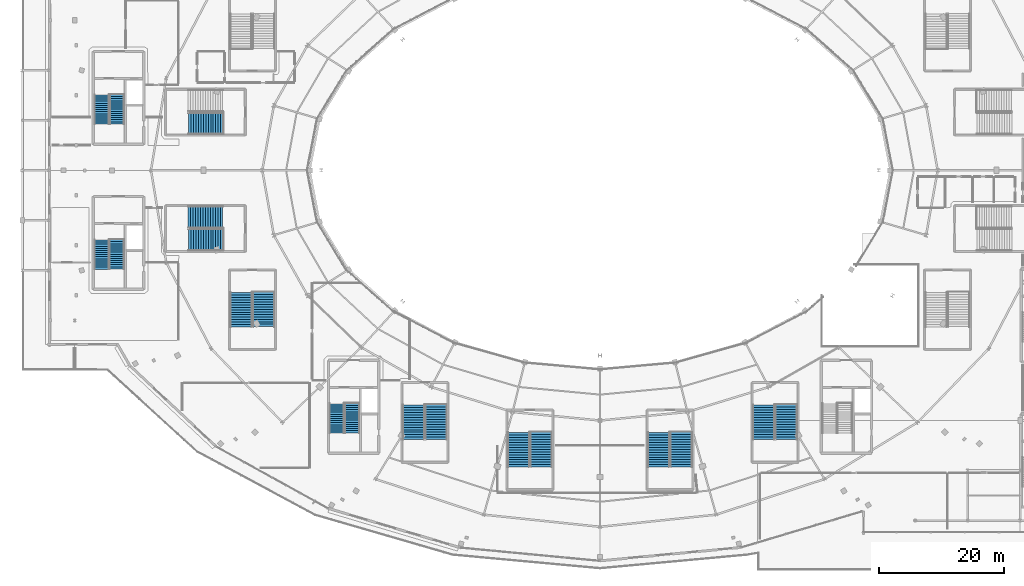
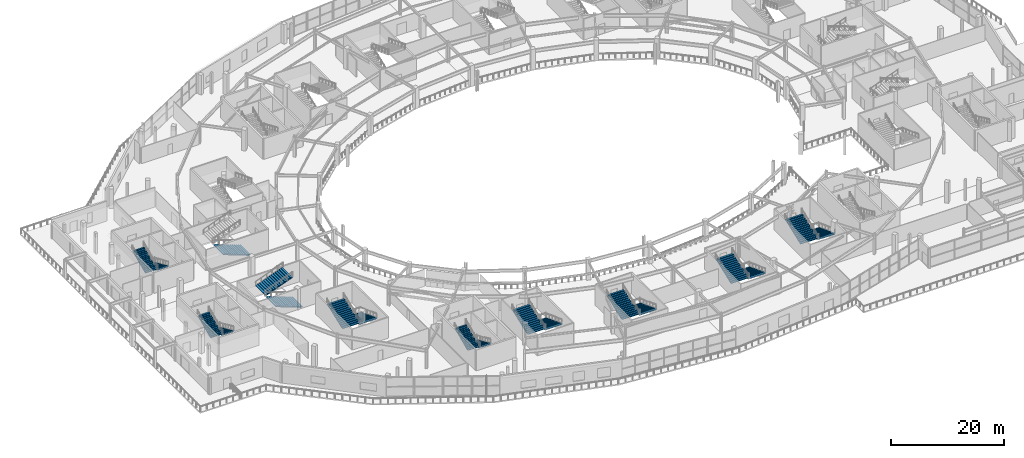
# One storey, part 83 of 107: 19 stair flights, 10 elements without a shape of their own.
"""IFC4 building model written with IfcOpenShell, lengths in metres."""

from ifc_helpers import new_model, si_unit, direction, frame, origin, place, context, subcontext, project, spatial, polyline, outline, extrude, material, type_object, element, aggregate, save


model = new_model("IFC4")

# Units and contexts
model_context = context("Model", 3, precision=1e-05, world=origin(), true_north=direction((0.0, 1.0)))
body_context = subcontext(model_context, "Body", "Model", "MODEL_VIEW")
ifc_project = project(units=[si_unit("LENGTHUNIT", "METRE"), si_unit("AREAUNIT", "SQUARE_METRE"), si_unit("VOLUMEUNIT", "CUBIC_METRE"), si_unit("PLANEANGLEUNIT", "RADIAN"), si_unit("MASSUNIT", "GRAM", prefix="KILO")], contexts=[model_context])

# Site, building, storey
site_placement = place(None, origin())
site = spatial("IfcSite", under=ifc_project, at=site_placement, CompositionType="ELEMENT")
building_placement = place(site_placement, origin())
building = spatial("IfcBuilding", under=site, at=building_placement, Name="Kalgoora Escarpment Arena", CompositionType="ELEMENT")
storey_placement = place(building_placement, frame((0.0, 0.0, 5.39990234375)))
storey = spatial("IfcBuildingStorey", under=building, at=storey_placement, Name="L01", CompositionType="ELEMENT", Elevation=5.39990234375)

# Stair, stair flights
ifc_material_1 = material(Name="Concrete N40 (fc' 40 MPa)", Category="concrete")
stair_type_1 = type_object("IfcStairType", Name="STR-EXIT-1", PredefinedType="HALF_TURN_STAIR", material=ifc_material_1)
stair_1_placement = place(storey_placement, origin())
stair_1 = element("IfcStair", 1, at=stair_1_placement, inside=storey, type_object=stair_type_1, Name="Fire-isolated exit stair ST01 (L01)", PredefinedType="HALF_TURN_STAIR")
ifc_material_2 = material(Name="Concrete N40 (fc' 40 MPa)", Category="concrete")
stair_flight_type_1 = type_object("IfcStairFlightType", Name="FLT-EXIT-1", PredefinedType="STRAIGHT", material=ifc_material_2)
stair_flight_1_placement = place(storey_placement, frame((15.159912109375, 76.1298828125, 0.0), z_axis=(0.0, 0.0, 1.0), x_axis=(0.0, -1.0, 0.0)))
stair_flight_1 = element("IfcStairFlight", 2, at=stair_flight_1_placement, type_object=stair_flight_type_1, Name="ST01 L01 lower flight", NumberOfRisers=15, NumberOfTreads=14, PredefinedType="STRAIGHT", RiserHeight=0.15, TreadLength=0.335, context=body_context, shape_type="SweptSolid", body=[
    extrude(outline(polyline([(0.0, 0.0), (0.0, 0.14990234375), (0.3349609375, 0.14990234375), (0.3349609375, 0.300048828125), (0.669921875, 0.300048828125), (0.669921875, 0.449951171875), (1.0048828125, 0.449951171875), (1.0048828125, 0.60009765625), (1.340087890625, 0.60009765625), (1.340087890625, 0.75), (1.675048828125, 0.75), (1.675048828125, 0.89990234375), (2.010009765625, 0.89990234375), (2.010009765625, 1.050048828125), (2.344970703125, 1.050048828125), (2.344970703125, 1.199951171875), (2.679931640625, 1.199951171875), (2.679931640625, 1.35009765625), (3.014892578125, 1.35009765625), (3.014892578125, 1.5), (3.35009765625, 1.5), (3.35009765625, 1.64990234375), (3.68505859375, 1.64990234375), (3.68505859375, 1.800048828125), (4.02001953125, 1.800048828125), (4.02001953125, 1.949951171875), (4.35498046875, 1.949951171875), (4.35498046875, 2.10009765625), (4.68994140625, 2.10009765625), (4.68994140625, 2.25), (4.68994140625, 1.913818359375), (0.415771484375, 0.0), (0.0, 0.0)])), frame((0.0, 1.18994140625, 0.0), z_axis=(0.0, -1.0, 0.0), x_axis=(1.0, 0.0, 0.0)), (0.0, 0.0, 1.0), 2.3798828125),
])
stair_flight_2_placement = place(storey_placement, frame((12.739990234375, 71.3798828125, 2.25), z_axis=(0.0, 0.0, 1.0), x_axis=(0.0, 1.0, 0.0)))
stair_flight_2 = element("IfcStairFlight", 3, at=stair_flight_2_placement, type_object=stair_flight_type_1, Name="ST01 L01 upper flight", NumberOfRisers=15, NumberOfTreads=14, PredefinedType="STRAIGHT", RiserHeight=0.15, TreadLength=0.335, context=body_context, shape_type="SweptSolid", body=[
    extrude(outline(polyline([(0.0, 0.0), (0.0, 0.14990234375), (0.3349609375, 0.14990234375), (0.3349609375, 0.300048828125), (0.669921875, 0.300048828125), (0.669921875, 0.449951171875), (1.0048828125, 0.449951171875), (1.0048828125, 0.60009765625), (1.340087890625, 0.60009765625), (1.340087890625, 0.75), (1.675048828125, 0.75), (1.675048828125, 0.89990234375), (2.010009765625, 0.89990234375), (2.010009765625, 1.050048828125), (2.344970703125, 1.050048828125), (2.344970703125, 1.199951171875), (2.679931640625, 1.199951171875), (2.679931640625, 1.35009765625), (3.014892578125, 1.35009765625), (3.014892578125, 1.5), (3.35009765625, 1.5), (3.35009765625, 1.64990234375), (3.68505859375, 1.64990234375), (3.68505859375, 1.800048828125), (4.02001953125, 1.800048828125), (4.02001953125, 1.949951171875), (4.35498046875, 1.949951171875), (4.35498046875, 2.10009765625), (4.68994140625, 2.10009765625), (4.68994140625, 2.25), (4.68994140625, 1.913818359375), (0.415771484375, 0.0), (0.0, 0.0)])), frame((0.0, 1.18994140625, 0.0), z_axis=(0.0, -1.0, 0.0), x_axis=(1.0, 0.0, 0.0)), (0.0, 0.0, 1.0), 2.3798828125),
])
aggregate(stair_1, [stair_flight_1, stair_flight_2])

stair_2_placement = place(storey_placement, origin())
stair_2 = element("IfcStair", 4, at=stair_2_placement, inside=storey, type_object=stair_type_1, Name="Fire-isolated exit stair ST05 (L01)", PredefinedType="HALF_TURN_STAIR")
stair_flight_3_placement = place(storey_placement, frame((52.760009765625, 26.72998046875, 0.0), z_axis=(0.0, 0.0, 1.0), x_axis=(0.0, -1.0, 0.0)))
stair_flight_3 = element("IfcStairFlight", 5, at=stair_flight_3_placement, type_object=stair_flight_type_1, Name="ST05 L01 lower flight", NumberOfRisers=15, NumberOfTreads=14, PredefinedType="STRAIGHT", RiserHeight=0.15, TreadLength=0.335, context=body_context, shape_type="SweptSolid", body=[
    extrude(outline(polyline([(0.0, 0.0), (0.0, 0.14990234375), (0.3349609375, 0.14990234375), (0.3349609375, 0.300048828125), (0.669921875, 0.300048828125), (0.669921875, 0.449951171875), (1.0048828125, 0.449951171875), (1.0048828125, 0.60009765625), (1.340087890625, 0.60009765625), (1.340087890625, 0.75), (1.675048828125, 0.75), (1.675048828125, 0.89990234375), (2.010009765625, 0.89990234375), (2.010009765625, 1.050048828125), (2.344970703125, 1.050048828125), (2.344970703125, 1.199951171875), (2.679931640625, 1.199951171875), (2.679931640625, 1.35009765625), (3.014892578125, 1.35009765625), (3.014892578125, 1.5), (3.35009765625, 1.5), (3.35009765625, 1.64990234375), (3.68505859375, 1.64990234375), (3.68505859375, 1.800048828125), (4.02001953125, 1.800048828125), (4.02001953125, 1.949951171875), (4.35498046875, 1.949951171875), (4.35498046875, 2.10009765625), (4.68994140625, 2.10009765625), (4.68994140625, 2.25), (4.68994140625, 1.913818359375), (0.415771484375, 0.0), (0.0, 0.0)])), frame((0.0, 1.18994140625, 0.0), z_axis=(0.0, -1.0, 0.0), x_axis=(1.0, 0.0, 0.0)), (0.0, 0.0, 1.0), 2.3798828125),
])
stair_flight_4_placement = place(storey_placement, frame((50.340087890625, 21.97998046875, 2.25), z_axis=(0.0, 0.0, 1.0), x_axis=(0.0, 1.0, 0.0)))
stair_flight_4 = element("IfcStairFlight", 6, at=stair_flight_4_placement, type_object=stair_flight_type_1, Name="ST05 L01 upper flight", NumberOfRisers=15, NumberOfTreads=14, PredefinedType="STRAIGHT", RiserHeight=0.15, TreadLength=0.335, context=body_context, shape_type="SweptSolid", body=[
    extrude(outline(polyline([(0.0, 0.0), (0.0, 0.14990234375), (0.3349609375, 0.14990234375), (0.3349609375, 0.300048828125), (0.669921875, 0.300048828125), (0.669921875, 0.449951171875), (1.0048828125, 0.449951171875), (1.0048828125, 0.60009765625), (1.340087890625, 0.60009765625), (1.340087890625, 0.75), (1.675048828125, 0.75), (1.675048828125, 0.89990234375), (2.010009765625, 0.89990234375), (2.010009765625, 1.050048828125), (2.344970703125, 1.050048828125), (2.344970703125, 1.199951171875), (2.679931640625, 1.199951171875), (2.679931640625, 1.35009765625), (3.014892578125, 1.35009765625), (3.014892578125, 1.5), (3.35009765625, 1.5), (3.35009765625, 1.64990234375), (3.68505859375, 1.64990234375), (3.68505859375, 1.800048828125), (4.02001953125, 1.800048828125), (4.02001953125, 1.949951171875), (4.35498046875, 1.949951171875), (4.35498046875, 2.10009765625), (4.68994140625, 2.10009765625), (4.68994140625, 2.25), (4.68994140625, 1.913818359375), (0.415771484375, 0.0), (0.0, 0.0)])), frame((0.0, 1.18994140625, 0.0), z_axis=(0.0, -1.0, 0.0), x_axis=(1.0, 0.0, 0.0)), (0.0, 0.0, 1.0), 2.3798828125),
])
aggregate(stair_2, [stair_flight_3, stair_flight_4])

ifc_material_3 = material(Name="Concrete N40 (fc' 40 MPa)", Category="concrete")
stair_type_2 = type_object("IfcStairType", Name="STR-EXIT-2", PredefinedType="HALF_TURN_STAIR", material=ifc_material_3)
stair_3_placement = place(storey_placement, origin())
stair_3 = element("IfcStair", 7, at=stair_3_placement, inside=storey, type_object=stair_type_2, Name="Fire-isolated exit stair ST02 (L01)", PredefinedType="HALF_TURN_STAIR")
ifc_material_4 = material(Name="Concrete N40 (fc' 40 MPa)", Category="concrete")
stair_flight_type_2 = type_object("IfcStairFlightType", Name="FLT-EXIT-2", PredefinedType="STRAIGHT", material=ifc_material_4)
stair_flight_5_placement = place(storey_placement, frame((15.157470703125, 52.929931640625, 0.0), z_axis=(0.0, 0.0, 1.0), x_axis=(0.0, -1.0, 0.0)))
stair_flight_5 = element("IfcStairFlight", 8, at=stair_flight_5_placement, type_object=stair_flight_type_2, Name="ST02 L01 lower flight", NumberOfRisers=15, NumberOfTreads=14, PredefinedType="STRAIGHT", RiserHeight=0.15, TreadLength=0.335, context=body_context, shape_type="SweptSolid", body=[
    extrude(outline(polyline([(0.0, 0.0), (0.0, 0.14990234375), (0.3349609375, 0.14990234375), (0.3349609375, 0.300048828125), (0.669921875, 0.300048828125), (0.669921875, 0.449951171875), (1.0048828125, 0.449951171875), (1.0048828125, 0.60009765625), (1.340087890625, 0.60009765625), (1.340087890625, 0.75), (1.675048828125, 0.75), (1.675048828125, 0.89990234375), (2.010009765625, 0.89990234375), (2.010009765625, 1.050048828125), (2.344970703125, 1.050048828125), (2.344970703125, 1.199951171875), (2.679931640625, 1.199951171875), (2.679931640625, 1.35009765625), (3.014892578125, 1.35009765625), (3.014892578125, 1.5), (3.35009765625, 1.5), (3.35009765625, 1.64990234375), (3.68505859375, 1.64990234375), (3.68505859375, 1.800048828125), (4.02001953125, 1.800048828125), (4.02001953125, 1.949951171875), (4.35498046875, 1.949951171875), (4.35498046875, 2.10009765625), (4.68994140625, 2.10009765625), (4.68994140625, 2.25), (4.68994140625, 1.913818359375), (0.415771484375, 0.0), (0.0, 0.0)])), frame((0.0, 1.1923828125, 0.0), z_axis=(0.0, -1.0, 0.0), x_axis=(1.0, 0.0, 0.0)), (0.0, 0.0, 1.0), 2.385009765625),
])
stair_flight_6_placement = place(storey_placement, frame((12.742431640625, 48.179931640625, 2.25), z_axis=(0.0, 0.0, 1.0), x_axis=(0.0, 1.0, 0.0)))
stair_flight_6 = element("IfcStairFlight", 9, at=stair_flight_6_placement, type_object=stair_flight_type_2, Name="ST02 L01 upper flight", NumberOfRisers=15, NumberOfTreads=14, PredefinedType="STRAIGHT", RiserHeight=0.15, TreadLength=0.335, context=body_context, shape_type="SweptSolid", body=[
    extrude(outline(polyline([(0.0, 0.0), (0.0, 0.14990234375), (0.3349609375, 0.14990234375), (0.3349609375, 0.300048828125), (0.669921875, 0.300048828125), (0.669921875, 0.449951171875), (1.0048828125, 0.449951171875), (1.0048828125, 0.60009765625), (1.340087890625, 0.60009765625), (1.340087890625, 0.75), (1.675048828125, 0.75), (1.675048828125, 0.89990234375), (2.010009765625, 0.89990234375), (2.010009765625, 1.050048828125), (2.344970703125, 1.050048828125), (2.344970703125, 1.199951171875), (2.679931640625, 1.199951171875), (2.679931640625, 1.35009765625), (3.014892578125, 1.35009765625), (3.014892578125, 1.5), (3.35009765625, 1.5), (3.35009765625, 1.64990234375), (3.68505859375, 1.64990234375), (3.68505859375, 1.800048828125), (4.02001953125, 1.800048828125), (4.02001953125, 1.949951171875), (4.35498046875, 1.949951171875), (4.35498046875, 2.10009765625), (4.68994140625, 2.10009765625), (4.68994140625, 2.25), (4.68994140625, 1.913818359375), (0.415771484375, 0.0), (0.0, 0.0)])), frame((0.0, 1.1923828125, 0.0), z_axis=(0.0, -1.0, 0.0), x_axis=(1.0, 0.0, 0.0)), (0.0, 0.0, 1.0), 2.385009765625),
])
aggregate(stair_3, [stair_flight_5, stair_flight_6])

ifc_material_5 = material(Name="Precast concrete N50 (fc' 50 MPa)", Category="concrete")
stair_type_3 = type_object("IfcStairType", Name="STR-STAD-1", PredefinedType="HALF_TURN_STAIR", material=ifc_material_5)
stair_4_placement = place(storey_placement, origin())
stair_4 = element("IfcStair", 10, at=stair_4_placement, inside=storey, type_object=stair_type_3, Name="Fire-isolated exit stair ST13 (L01)", PredefinedType="HALF_TURN_STAIR")
ifc_material_6 = material(Name="Precast concrete N50 (fc' 50 MPa)", Category="concrete")
stair_flight_type_3 = type_object("IfcStairFlightType", Name="FLT-STAD-1", PredefinedType="STRAIGHT", material=ifc_material_6)
stair_flight_7_placement = place(storey_placement, frame((66.20751953125, 26.530029296875, 0.0), z_axis=(0.0, 0.0, 1.0), x_axis=(0.0, -1.0, 0.0)))
stair_flight_7 = element("IfcStairFlight", 11, at=stair_flight_7_placement, type_object=stair_flight_type_3, Name="ST13 L01 lower flight", NumberOfRisers=15, NumberOfTreads=14, PredefinedType="STRAIGHT", RiserHeight=0.15, TreadLength=0.395, context=body_context, shape_type="SweptSolid", body=[
    extrude(outline(polyline([(0.0, 0.0), (0.0, 0.14990234375), (0.39501953125, 0.14990234375), (0.39501953125, 0.300048828125), (0.7900390625, 0.300048828125), (0.7900390625, 0.449951171875), (1.18505859375, 0.449951171875), (1.18505859375, 0.60009765625), (1.580078125, 0.60009765625), (1.580078125, 0.75), (1.97509765625, 0.75), (1.97509765625, 0.89990234375), (2.3701171875, 0.89990234375), (2.3701171875, 1.050048828125), (2.764892578125, 1.050048828125), (2.764892578125, 1.199951171875), (3.159912109375, 1.199951171875), (3.159912109375, 1.35009765625), (3.554931640625, 1.35009765625), (3.554931640625, 1.5), (3.949951171875, 1.5), (3.949951171875, 1.64990234375), (4.344970703125, 1.64990234375), (4.344970703125, 1.800048828125), (4.739990234375, 1.800048828125), (4.739990234375, 1.949951171875), (5.135009765625, 1.949951171875), (5.135009765625, 2.10009765625), (5.530029296875, 2.10009765625), (5.530029296875, 2.25), (5.530029296875, 1.918212890625), (0.478759765625, 0.0), (0.0, 0.0)])), frame((0.0, 1.74267578125, 0.0), z_axis=(0.0, -1.0, 0.0), x_axis=(1.0, 0.0, 0.0)), (0.0, 0.0, 1.0), 3.485107421875),
])
stair_flight_8_placement = place(storey_placement, frame((62.592529296875, 20.93994140625, 2.25), z_axis=(0.0, 0.0, 1.0), x_axis=(0.0, 1.0, 0.0)))
stair_flight_8 = element("IfcStairFlight", 12, at=stair_flight_8_placement, type_object=stair_flight_type_3, Name="ST13 L01 upper flight", NumberOfRisers=15, NumberOfTreads=14, PredefinedType="STRAIGHT", RiserHeight=0.15, TreadLength=0.395, context=body_context, shape_type="SweptSolid", body=[
    extrude(outline(polyline([(0.0, 0.0), (0.0, 0.14990234375), (0.39501953125, 0.14990234375), (0.39501953125, 0.300048828125), (0.7900390625, 0.300048828125), (0.7900390625, 0.449951171875), (1.18505859375, 0.449951171875), (1.18505859375, 0.60009765625), (1.580078125, 0.60009765625), (1.580078125, 0.75), (1.97509765625, 0.75), (1.97509765625, 0.89990234375), (2.3701171875, 0.89990234375), (2.3701171875, 1.050048828125), (2.764892578125, 1.050048828125), (2.764892578125, 1.199951171875), (3.159912109375, 1.199951171875), (3.159912109375, 1.35009765625), (3.554931640625, 1.35009765625), (3.554931640625, 1.5), (3.949951171875, 1.5), (3.949951171875, 1.64990234375), (4.344970703125, 1.64990234375), (4.344970703125, 1.800048828125), (4.739990234375, 1.800048828125), (4.739990234375, 1.949951171875), (5.135009765625, 1.949951171875), (5.135009765625, 2.10009765625), (5.530029296875, 2.10009765625), (5.530029296875, 2.25), (5.530029296875, 1.918212890625), (0.478759765625, 0.0), (0.0, 0.0)])), frame((0.0, 1.74267578125, 0.0), z_axis=(0.0, -1.0, 0.0), x_axis=(1.0, 0.0, 0.0)), (0.0, 0.0, 1.0), 3.485107421875),
])
aggregate(stair_4, [stair_flight_7, stair_flight_8])

# Stair, stair flight
stair_5_placement = place(storey_placement, origin())
stair_5 = element("IfcStair", 13, at=stair_5_placement, inside=storey, type_object=stair_type_3, Name="Fire-isolated exit stair ST17 (L01)", PredefinedType="HALF_TURN_STAIR")
stair_flight_9_placement = place(storey_placement, frame((32.1298828125, 71.492431640625, 0.0), z_axis=(0.0, 0.0, 1.0), x_axis=(-1.0, 0.0, 0.0)))
stair_flight_9 = element("IfcStairFlight", 14, at=stair_flight_9_placement, type_object=stair_flight_type_3, Name="ST17 L01 lower flight", NumberOfRisers=15, NumberOfTreads=14, PredefinedType="STRAIGHT", RiserHeight=0.15, TreadLength=0.395, context=body_context, shape_type="SweptSolid", body=[
    extrude(outline(polyline([(0.0, 0.0), (0.0, 0.14990234375), (0.39501953125, 0.14990234375), (0.39501953125, 0.300048828125), (0.7900390625, 0.300048828125), (0.7900390625, 0.449951171875), (1.18505859375, 0.449951171875), (1.18505859375, 0.60009765625), (1.580078125, 0.60009765625), (1.580078125, 0.75), (1.97509765625, 0.75), (1.97509765625, 0.89990234375), (2.3701171875, 0.89990234375), (2.3701171875, 1.050048828125), (2.764892578125, 1.050048828125), (2.764892578125, 1.199951171875), (3.159912109375, 1.199951171875), (3.159912109375, 1.35009765625), (3.554931640625, 1.35009765625), (3.554931640625, 1.5), (3.949951171875, 1.5), (3.949951171875, 1.64990234375), (4.344970703125, 1.64990234375), (4.344970703125, 1.800048828125), (4.739990234375, 1.800048828125), (4.739990234375, 1.949951171875), (5.135009765625, 1.949951171875), (5.135009765625, 2.10009765625), (5.530029296875, 2.10009765625), (5.530029296875, 2.25), (5.530029296875, 1.918212890625), (0.478759765625, 0.0), (0.0, 0.0)])), frame((0.0, 1.74267578125, 0.0), z_axis=(0.0, -1.0, 0.0), x_axis=(1.0, 0.0, 0.0)), (0.0, 0.0, 1.0), 3.485107421875),
])
aggregate(stair_5, [stair_flight_9])

# Stair, stair flights
ifc_material_7 = material(Name="Precast concrete N50 (fc' 50 MPa)", Category="concrete")
stair_type_4 = type_object("IfcStairType", Name="STR-STAD-2", PredefinedType="HALF_TURN_STAIR", material=ifc_material_7)
stair_6_placement = place(storey_placement, origin())
stair_6 = element("IfcStair", 15, at=stair_6_placement, inside=storey, type_object=stair_type_4, Name="Fire-isolated exit stair ST14 (L01)", PredefinedType="HALF_TURN_STAIR")
ifc_material_8 = material(Name="Precast concrete N50 (fc' 50 MPa)", Category="concrete")
stair_flight_type_4 = type_object("IfcStairFlightType", Name="FLT-STAD-2", PredefinedType="STRAIGHT", material=ifc_material_8)
stair_flight_10_placement = place(storey_placement, frame((83.0048828125, 22.1298828125, 0.0), z_axis=(0.0, 0.0, 1.0), x_axis=(0.0, -1.0, 0.0)))
stair_flight_10 = element("IfcStairFlight", 16, at=stair_flight_10_placement, type_object=stair_flight_type_4, Name="ST14 L01 lower flight", NumberOfRisers=15, NumberOfTreads=14, PredefinedType="STRAIGHT", RiserHeight=0.15, TreadLength=0.395, context=body_context, shape_type="SweptSolid", body=[
    extrude(outline(polyline([(0.0, 0.0), (0.0, 0.14990234375), (0.39501953125, 0.14990234375), (0.39501953125, 0.300048828125), (0.7900390625, 0.300048828125), (0.7900390625, 0.449951171875), (1.18505859375, 0.449951171875), (1.18505859375, 0.60009765625), (1.580078125, 0.60009765625), (1.580078125, 0.75), (1.97509765625, 0.75), (1.97509765625, 0.89990234375), (2.3701171875, 0.89990234375), (2.3701171875, 1.050048828125), (2.764892578125, 1.050048828125), (2.764892578125, 1.199951171875), (3.159912109375, 1.199951171875), (3.159912109375, 1.35009765625), (3.554931640625, 1.35009765625), (3.554931640625, 1.5), (3.949951171875, 1.5), (3.949951171875, 1.64990234375), (4.344970703125, 1.64990234375), (4.344970703125, 1.800048828125), (4.739990234375, 1.800048828125), (4.739990234375, 1.949951171875), (5.135009765625, 1.949951171875), (5.135009765625, 2.10009765625), (5.530029296875, 2.10009765625), (5.530029296875, 2.25), (5.530029296875, 1.918212890625), (0.478759765625, 0.0), (0.0, 0.0)])), frame((0.0, 1.7451171875, 0.0), z_axis=(0.0, -1.0, 0.0), x_axis=(1.0, 0.0, 0.0)), (0.0, 0.0, 1.0), 3.489990234375),
])
stair_flight_11_placement = place(storey_placement, frame((79.39501953125, 16.5400390625, 2.25), z_axis=(0.0, 0.0, 1.0), x_axis=(0.0, 1.0, 0.0)))
stair_flight_11 = element("IfcStairFlight", 17, at=stair_flight_11_placement, type_object=stair_flight_type_4, Name="ST14 L01 upper flight", NumberOfRisers=15, NumberOfTreads=14, PredefinedType="STRAIGHT", RiserHeight=0.15, TreadLength=0.395, context=body_context, shape_type="SweptSolid", body=[
    extrude(outline(polyline([(0.0, 0.0), (0.0, 0.14990234375), (0.39501953125, 0.14990234375), (0.39501953125, 0.300048828125), (0.7900390625, 0.300048828125), (0.7900390625, 0.449951171875), (1.18505859375, 0.449951171875), (1.18505859375, 0.60009765625), (1.580078125, 0.60009765625), (1.580078125, 0.75), (1.97509765625, 0.75), (1.97509765625, 0.89990234375), (2.3701171875, 0.89990234375), (2.3701171875, 1.050048828125), (2.764892578125, 1.050048828125), (2.764892578125, 1.199951171875), (3.159912109375, 1.199951171875), (3.159912109375, 1.35009765625), (3.554931640625, 1.35009765625), (3.554931640625, 1.5), (3.949951171875, 1.5), (3.949951171875, 1.64990234375), (4.344970703125, 1.64990234375), (4.344970703125, 1.800048828125), (4.739990234375, 1.800048828125), (4.739990234375, 1.949951171875), (5.135009765625, 1.949951171875), (5.135009765625, 2.10009765625), (5.530029296875, 2.10009765625), (5.530029296875, 2.25), (5.530029296875, 1.918212890625), (0.478759765625, 0.0), (0.0, 0.0)])), frame((0.0, 1.7451171875, 0.0), z_axis=(0.0, -1.0, 0.0), x_axis=(1.0, 0.0, 0.0)), (0.0, 0.0, 1.0), 3.489990234375),
])
aggregate(stair_6, [stair_flight_10, stair_flight_11])

stair_7_placement = place(storey_placement, origin())
stair_7 = element("IfcStair", 18, at=stair_7_placement, inside=storey, type_object=stair_type_4, Name="Fire-isolated exit stair ST18 (L01)", PredefinedType="HALF_TURN_STAIR")
stair_flight_12_placement = place(storey_placement, frame((32.1298828125, 52.89501953125, 0.0), z_axis=(0.0, 0.0, 1.0), x_axis=(-1.0, 0.0, 0.0)))
stair_flight_12 = element("IfcStairFlight", 19, at=stair_flight_12_placement, type_object=stair_flight_type_4, Name="ST18 L01 lower flight", NumberOfRisers=15, NumberOfTreads=14, PredefinedType="STRAIGHT", RiserHeight=0.15, TreadLength=0.395, context=body_context, shape_type="SweptSolid", body=[
    extrude(outline(polyline([(0.0, 0.0), (0.0, 0.14990234375), (0.39501953125, 0.14990234375), (0.39501953125, 0.300048828125), (0.7900390625, 0.300048828125), (0.7900390625, 0.449951171875), (1.18505859375, 0.449951171875), (1.18505859375, 0.60009765625), (1.580078125, 0.60009765625), (1.580078125, 0.75), (1.97509765625, 0.75), (1.97509765625, 0.89990234375), (2.3701171875, 0.89990234375), (2.3701171875, 1.050048828125), (2.764892578125, 1.050048828125), (2.764892578125, 1.199951171875), (3.159912109375, 1.199951171875), (3.159912109375, 1.35009765625), (3.554931640625, 1.35009765625), (3.554931640625, 1.5), (3.949951171875, 1.5), (3.949951171875, 1.64990234375), (4.344970703125, 1.64990234375), (4.344970703125, 1.800048828125), (4.739990234375, 1.800048828125), (4.739990234375, 1.949951171875), (5.135009765625, 1.949951171875), (5.135009765625, 2.10009765625), (5.530029296875, 2.10009765625), (5.530029296875, 2.25), (5.530029296875, 1.918212890625), (0.478759765625, 0.0), (0.0, 0.0)])), frame((0.0, 1.7451171875, 0.0), z_axis=(0.0, -1.0, 0.0), x_axis=(1.0, 0.0, 0.0)), (0.0, 0.0, 1.0), 3.489990234375),
])
stair_flight_13_placement = place(storey_placement, frame((26.5400390625, 56.5048828125, 2.25), z_axis=(0.0, 0.0, 1.0), x_axis=(1.0, 0.0, 0.0)))
stair_flight_13 = element("IfcStairFlight", 20, at=stair_flight_13_placement, type_object=stair_flight_type_4, Name="ST18 L01 upper flight", NumberOfRisers=15, NumberOfTreads=14, PredefinedType="STRAIGHT", RiserHeight=0.15, TreadLength=0.395, context=body_context, shape_type="SweptSolid", body=[
    extrude(outline(polyline([(0.0, 0.0), (0.0, 0.14990234375), (0.39501953125, 0.14990234375), (0.39501953125, 0.300048828125), (0.7900390625, 0.300048828125), (0.7900390625, 0.449951171875), (1.18505859375, 0.449951171875), (1.18505859375, 0.60009765625), (1.580078125, 0.60009765625), (1.580078125, 0.75), (1.97509765625, 0.75), (1.97509765625, 0.89990234375), (2.3701171875, 0.89990234375), (2.3701171875, 1.050048828125), (2.764892578125, 1.050048828125), (2.764892578125, 1.199951171875), (3.159912109375, 1.199951171875), (3.159912109375, 1.35009765625), (3.554931640625, 1.35009765625), (3.554931640625, 1.5), (3.949951171875, 1.5), (3.949951171875, 1.64990234375), (4.344970703125, 1.64990234375), (4.344970703125, 1.800048828125), (4.739990234375, 1.800048828125), (4.739990234375, 1.949951171875), (5.135009765625, 1.949951171875), (5.135009765625, 2.10009765625), (5.530029296875, 2.10009765625), (5.530029296875, 2.25), (5.530029296875, 1.918212890625), (0.478759765625, 0.0), (0.0, 0.0)])), frame((0.0, 1.7451171875, 0.0), z_axis=(0.0, -1.0, 0.0), x_axis=(1.0, 0.0, 0.0)), (0.0, 0.0, 1.0), 3.489990234375),
])
aggregate(stair_7, [stair_flight_12, stair_flight_13])

ifc_material_9 = material(Name="Precast concrete N50 (fc' 50 MPa)", Category="concrete")
stair_type_5 = type_object("IfcStairType", Name="STR-STAD-3", PredefinedType="HALF_TURN_STAIR", material=ifc_material_9)
stair_8_placement = place(storey_placement, origin())
stair_8 = element("IfcStair", 21, at=stair_8_placement, inside=storey, type_object=stair_type_5, Name="Fire-isolated exit stair ST15 (L01)", PredefinedType="HALF_TURN_STAIR")
ifc_material_10 = material(Name="Precast concrete N50 (fc' 50 MPa)", Category="concrete")
stair_flight_type_5 = type_object("IfcStairFlightType", Name="FLT-STAD-3", PredefinedType="STRAIGHT", material=ifc_material_10)
stair_flight_14_placement = place(storey_placement, frame((105.402587890625, 22.1298828125, 0.0), z_axis=(0.0, 0.0, 1.0), x_axis=(0.0, -1.0, 0.0)))
stair_flight_14 = element("IfcStairFlight", 22, at=stair_flight_14_placement, type_object=stair_flight_type_5, Name="ST15 L01 lower flight", NumberOfRisers=15, NumberOfTreads=14, PredefinedType="STRAIGHT", RiserHeight=0.15, TreadLength=0.395, context=body_context, shape_type="SweptSolid", body=[
    extrude(outline(polyline([(0.0, 0.0), (0.0, 0.14990234375), (0.39501953125, 0.14990234375), (0.39501953125, 0.300048828125), (0.7900390625, 0.300048828125), (0.7900390625, 0.449951171875), (1.18505859375, 0.449951171875), (1.18505859375, 0.60009765625), (1.580078125, 0.60009765625), (1.580078125, 0.75), (1.97509765625, 0.75), (1.97509765625, 0.89990234375), (2.3701171875, 0.89990234375), (2.3701171875, 1.050048828125), (2.764892578125, 1.050048828125), (2.764892578125, 1.199951171875), (3.159912109375, 1.199951171875), (3.159912109375, 1.35009765625), (3.554931640625, 1.35009765625), (3.554931640625, 1.5), (3.949951171875, 1.5), (3.949951171875, 1.64990234375), (4.344970703125, 1.64990234375), (4.344970703125, 1.800048828125), (4.739990234375, 1.800048828125), (4.739990234375, 1.949951171875), (5.135009765625, 1.949951171875), (5.135009765625, 2.10009765625), (5.530029296875, 2.10009765625), (5.530029296875, 2.25), (5.530029296875, 1.918212890625), (0.478759765625, 0.0), (0.0, 0.0)])), frame((0.0, 1.74755859375, 0.0), z_axis=(0.0, -1.0, 0.0), x_axis=(1.0, 0.0, 0.0)), (0.0, 0.0, 1.0), 3.4951171875),
])
stair_flight_15_placement = place(storey_placement, frame((101.797607421875, 16.5400390625, 2.25), z_axis=(0.0, 0.0, 1.0), x_axis=(0.0, 1.0, 0.0)))
stair_flight_15 = element("IfcStairFlight", 23, at=stair_flight_15_placement, type_object=stair_flight_type_5, Name="ST15 L01 upper flight", NumberOfRisers=15, NumberOfTreads=14, PredefinedType="STRAIGHT", RiserHeight=0.15, TreadLength=0.395, context=body_context, shape_type="SweptSolid", body=[
    extrude(outline(polyline([(0.0, 0.0), (0.0, 0.14990234375), (0.39501953125, 0.14990234375), (0.39501953125, 0.300048828125), (0.7900390625, 0.300048828125), (0.7900390625, 0.449951171875), (1.18505859375, 0.449951171875), (1.18505859375, 0.60009765625), (1.580078125, 0.60009765625), (1.580078125, 0.75), (1.97509765625, 0.75), (1.97509765625, 0.89990234375), (2.3701171875, 0.89990234375), (2.3701171875, 1.050048828125), (2.764892578125, 1.050048828125), (2.764892578125, 1.199951171875), (3.159912109375, 1.199951171875), (3.159912109375, 1.35009765625), (3.554931640625, 1.35009765625), (3.554931640625, 1.5), (3.949951171875, 1.5), (3.949951171875, 1.64990234375), (4.344970703125, 1.64990234375), (4.344970703125, 1.800048828125), (4.739990234375, 1.800048828125), (4.739990234375, 1.949951171875), (5.135009765625, 1.949951171875), (5.135009765625, 2.10009765625), (5.530029296875, 2.10009765625), (5.530029296875, 2.25), (5.530029296875, 1.918212890625), (0.478759765625, 0.0), (0.0, 0.0)])), frame((0.0, 1.74755859375, 0.0), z_axis=(0.0, -1.0, 0.0), x_axis=(1.0, 0.0, 0.0)), (0.0, 0.0, 1.0), 3.4951171875),
])
aggregate(stair_8, [stair_flight_14, stair_flight_15])

ifc_material_11 = material(Name="Precast concrete N50 (fc' 50 MPa)", Category="concrete")
stair_type_6 = type_object("IfcStairType", Name="STR-STAD-4", PredefinedType="HALF_TURN_STAIR", material=ifc_material_11)
stair_9_placement = place(storey_placement, origin())
stair_9 = element("IfcStair", 24, at=stair_9_placement, inside=storey, type_object=stair_type_6, Name="Fire-isolated exit stair ST16 (L01)", PredefinedType="HALF_TURN_STAIR")
ifc_material_12 = material(Name="Precast concrete N50 (fc' 50 MPa)", Category="concrete")
stair_flight_type_6 = type_object("IfcStairFlightType", Name="FLT-STAD-4", PredefinedType="STRAIGHT", material=ifc_material_12)
stair_flight_16_placement = place(storey_placement, frame((122.199951171875, 26.530029296875, 0.0), z_axis=(0.0, 0.0, 1.0), x_axis=(0.0, -1.0, 0.0)))
stair_flight_16 = element("IfcStairFlight", 25, at=stair_flight_16_placement, type_object=stair_flight_type_6, Name="ST16 L01 lower flight", NumberOfRisers=15, NumberOfTreads=14, PredefinedType="STRAIGHT", RiserHeight=0.15, TreadLength=0.395, context=body_context, shape_type="SweptSolid", body=[
    extrude(outline(polyline([(0.0, 0.0), (0.0, 0.14990234375), (0.39501953125, 0.14990234375), (0.39501953125, 0.300048828125), (0.7900390625, 0.300048828125), (0.7900390625, 0.449951171875), (1.18505859375, 0.449951171875), (1.18505859375, 0.60009765625), (1.580078125, 0.60009765625), (1.580078125, 0.75), (1.97509765625, 0.75), (1.97509765625, 0.89990234375), (2.3701171875, 0.89990234375), (2.3701171875, 1.050048828125), (2.764892578125, 1.050048828125), (2.764892578125, 1.199951171875), (3.159912109375, 1.199951171875), (3.159912109375, 1.35009765625), (3.554931640625, 1.35009765625), (3.554931640625, 1.5), (3.949951171875, 1.5), (3.949951171875, 1.64990234375), (4.344970703125, 1.64990234375), (4.344970703125, 1.800048828125), (4.739990234375, 1.800048828125), (4.739990234375, 1.949951171875), (5.135009765625, 1.949951171875), (5.135009765625, 2.10009765625), (5.530029296875, 2.10009765625), (5.530029296875, 2.25), (5.530029296875, 1.918212890625), (0.478759765625, 0.0), (0.0, 0.0)])), frame((0.0, 1.75, 0.0), z_axis=(0.0, -1.0, 0.0), x_axis=(1.0, 0.0, 0.0)), (0.0, 0.0, 1.0), 3.5),
])
stair_flight_17_placement = place(storey_placement, frame((118.60009765625, 20.93994140625, 2.25), z_axis=(0.0, 0.0, 1.0), x_axis=(0.0, 1.0, 0.0)))
stair_flight_17 = element("IfcStairFlight", 26, at=stair_flight_17_placement, type_object=stair_flight_type_6, Name="ST16 L01 upper flight", NumberOfRisers=15, NumberOfTreads=14, PredefinedType="STRAIGHT", RiserHeight=0.15, TreadLength=0.395, context=body_context, shape_type="SweptSolid", body=[
    extrude(outline(polyline([(0.0, 0.0), (0.0, 0.14990234375), (0.39501953125, 0.14990234375), (0.39501953125, 0.300048828125), (0.7900390625, 0.300048828125), (0.7900390625, 0.449951171875), (1.18505859375, 0.449951171875), (1.18505859375, 0.60009765625), (1.580078125, 0.60009765625), (1.580078125, 0.75), (1.97509765625, 0.75), (1.97509765625, 0.89990234375), (2.3701171875, 0.89990234375), (2.3701171875, 1.050048828125), (2.764892578125, 1.050048828125), (2.764892578125, 1.199951171875), (3.159912109375, 1.199951171875), (3.159912109375, 1.35009765625), (3.554931640625, 1.35009765625), (3.554931640625, 1.5), (3.949951171875, 1.5), (3.949951171875, 1.64990234375), (4.344970703125, 1.64990234375), (4.344970703125, 1.800048828125), (4.739990234375, 1.800048828125), (4.739990234375, 1.949951171875), (5.135009765625, 1.949951171875), (5.135009765625, 2.10009765625), (5.530029296875, 2.10009765625), (5.530029296875, 2.25), (5.530029296875, 1.918212890625), (0.478759765625, 0.0), (0.0, 0.0)])), frame((0.0, 1.75, 0.0), z_axis=(0.0, -1.0, 0.0), x_axis=(1.0, 0.0, 0.0)), (0.0, 0.0, 1.0), 3.5),
])
aggregate(stair_9, [stair_flight_16, stair_flight_17])

stair_10_placement = place(storey_placement, origin())
stair_10 = element("IfcStair", 27, at=stair_10_placement, inside=storey, type_object=stair_type_6, Name="Fire-isolated exit stair ST20 (L01)", PredefinedType="HALF_TURN_STAIR")
stair_flight_18_placement = place(storey_placement, frame((38.60009765625, 44.530029296875, 0.0), z_axis=(0.0, 0.0, 1.0), x_axis=(0.0, -1.0, 0.0)))
stair_flight_18 = element("IfcStairFlight", 28, at=stair_flight_18_placement, type_object=stair_flight_type_6, Name="ST20 L01 lower flight", NumberOfRisers=15, NumberOfTreads=14, PredefinedType="STRAIGHT", RiserHeight=0.15, TreadLength=0.395, context=body_context, shape_type="SweptSolid", body=[
    extrude(outline(polyline([(0.0, 0.0), (0.0, 0.14990234375), (0.39501953125, 0.14990234375), (0.39501953125, 0.300048828125), (0.7900390625, 0.300048828125), (0.7900390625, 0.449951171875), (1.18505859375, 0.449951171875), (1.18505859375, 0.60009765625), (1.580078125, 0.60009765625), (1.580078125, 0.75), (1.97509765625, 0.75), (1.97509765625, 0.89990234375), (2.3701171875, 0.89990234375), (2.3701171875, 1.050048828125), (2.764892578125, 1.050048828125), (2.764892578125, 1.199951171875), (3.159912109375, 1.199951171875), (3.159912109375, 1.35009765625), (3.554931640625, 1.35009765625), (3.554931640625, 1.5), (3.949951171875, 1.5), (3.949951171875, 1.64990234375), (4.344970703125, 1.64990234375), (4.344970703125, 1.800048828125), (4.739990234375, 1.800048828125), (4.739990234375, 1.949951171875), (5.135009765625, 1.949951171875), (5.135009765625, 2.10009765625), (5.530029296875, 2.10009765625), (5.530029296875, 2.25), (5.530029296875, 1.918212890625), (0.478759765625, 0.0), (0.0, 0.0)])), frame((0.0, 1.75, 0.0), z_axis=(0.0, -1.0, 0.0), x_axis=(1.0, 0.0, 0.0)), (0.0, 0.0, 1.0), 3.5),
])
stair_flight_19_placement = place(storey_placement, frame((35.0, 38.93994140625, 2.25), z_axis=(0.0, 0.0, 1.0), x_axis=(0.0, 1.0, 0.0)))
stair_flight_19 = element("IfcStairFlight", 29, at=stair_flight_19_placement, type_object=stair_flight_type_6, Name="ST20 L01 upper flight", NumberOfRisers=15, NumberOfTreads=14, PredefinedType="STRAIGHT", RiserHeight=0.15, TreadLength=0.395, context=body_context, shape_type="SweptSolid", body=[
    extrude(outline(polyline([(0.0, 0.0), (0.0, 0.14990234375), (0.39501953125, 0.14990234375), (0.39501953125, 0.300048828125), (0.7900390625, 0.300048828125), (0.7900390625, 0.449951171875), (1.18505859375, 0.449951171875), (1.18505859375, 0.60009765625), (1.580078125, 0.60009765625), (1.580078125, 0.75), (1.97509765625, 0.75), (1.97509765625, 0.89990234375), (2.3701171875, 0.89990234375), (2.3701171875, 1.050048828125), (2.764892578125, 1.050048828125), (2.764892578125, 1.199951171875), (3.159912109375, 1.199951171875), (3.159912109375, 1.35009765625), (3.554931640625, 1.35009765625), (3.554931640625, 1.5), (3.949951171875, 1.5), (3.949951171875, 1.64990234375), (4.344970703125, 1.64990234375), (4.344970703125, 1.800048828125), (4.739990234375, 1.800048828125), (4.739990234375, 1.949951171875), (5.135009765625, 1.949951171875), (5.135009765625, 2.10009765625), (5.530029296875, 2.10009765625), (5.530029296875, 2.25), (5.530029296875, 1.918212890625), (0.478759765625, 0.0), (0.0, 0.0)])), frame((0.0, 1.75, 0.0), z_axis=(0.0, -1.0, 0.0), x_axis=(1.0, 0.0, 0.0)), (0.0, 0.0, 1.0), 3.5),
])
aggregate(stair_10, [stair_flight_18, stair_flight_19])

save(model, "model.ifc")
